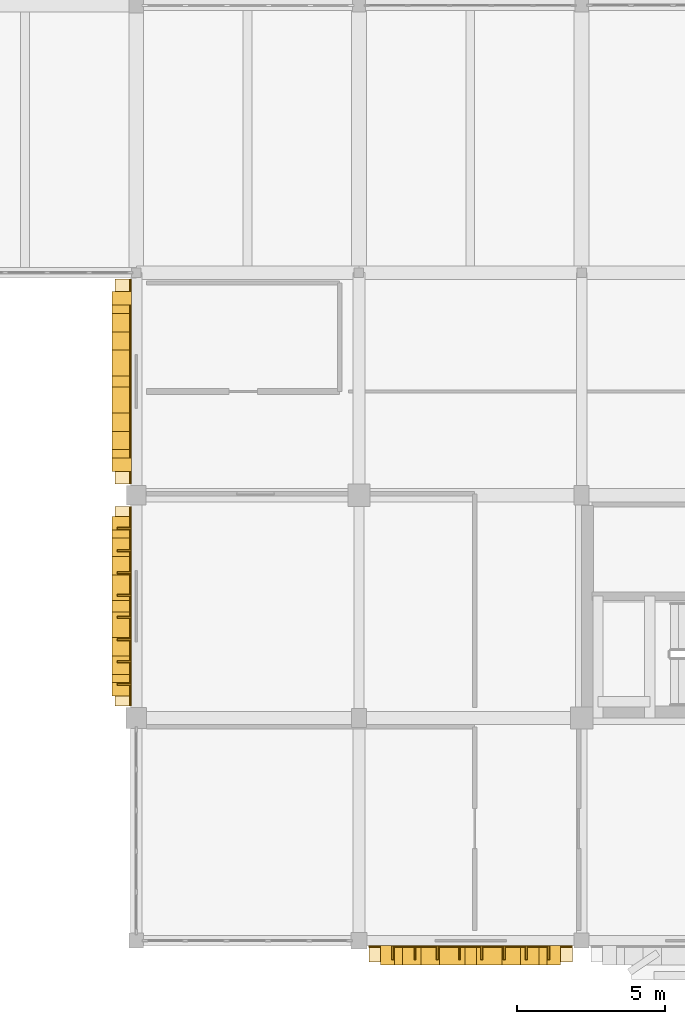
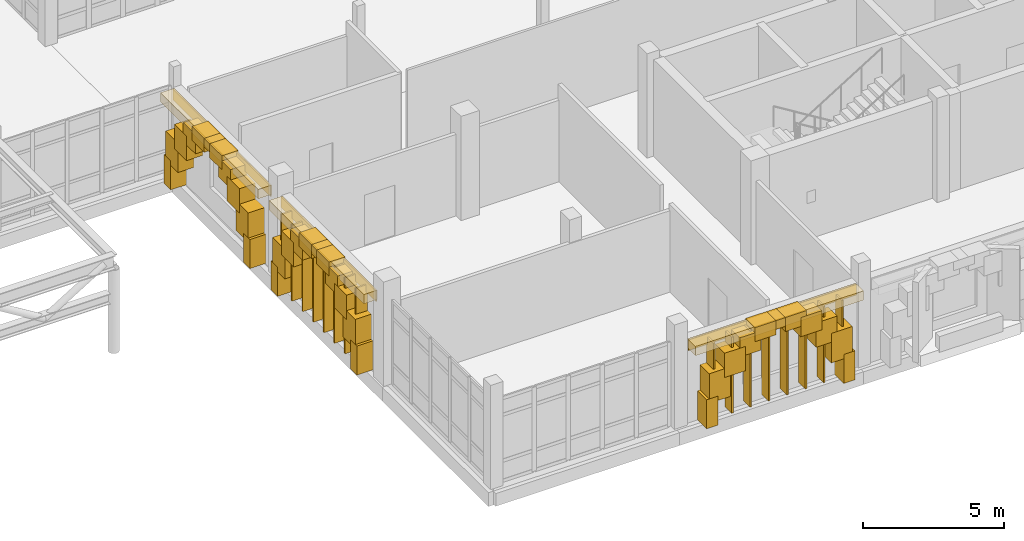
# One storey, part 113 of 128: 39 coverings, 16 shading devices.
"""IFC4 building model written with IfcOpenShell, lengths in metres."""

import ifcopenshell
import ifcopenshell.guid

model = None  # the IFC model being written
_history = None  # IfcOwnerHistory: only IFC2X3 demands one
_inside = {}  # id of a spatial element -> (the spatial element, [elements in it])
_under = {}  # id of a project, library or spatial element -> (it, [spatial elements below it])
_declared = {}  # id of a project -> (the project, [libraries it declares])
_typed = {}  # id of a type object -> (the type object, [elements of that type])
_made_of = {}  # id of a material, layer set ... -> (it, [elements and type objects made of it])


def new_model(schema):
    """Start an empty IFC model of exactly this schema.

    Asked for "IFC4X3", IfcOpenShell would pick the latest addendum, in which some entities
    have other attributes; the version numbers below select the first issue.
    IFC2X3 requires an IfcOwnerHistory on every rooted entity: one is made here for all.
    """
    global model, _history
    if schema == "IFC4X3":
        model = ifcopenshell.file(schema_version=(4, 3, 0, 0))
    else:
        model = ifcopenshell.file(schema=schema)
    _inside.clear()
    _under.clear()
    _declared.clear()
    _typed.clear()
    _made_of.clear()
    _history = None
    if model.schema == "IFC2X3":
        org = make("IfcOrganization", Name="unknown")
        user = make(
            "IfcPersonAndOrganization",
            ThePerson=make("IfcPerson", FamilyName="unknown"),
            TheOrganization=org,
        )
        app = make(
            "IfcApplication",
            ApplicationDeveloper=org,
            Version="unknown",
            ApplicationFullName="unknown",
            ApplicationIdentifier="unknown",
        )
        _history = make(
            "IfcOwnerHistory",
            OwningUser=user,
            OwningApplication=app,
            ChangeAction="ADDED",
            CreationDate=0,
        )
    return model


def make(cls, **values):
    """One entity of the class cls with the attributes given. An attribute that is None is left unset."""
    return model.create_entity(
        cls, **{name: value for name, value in values.items() if value is not None}
    )


def rooted(cls, **values):
    """An entity with a GlobalId (a new one), such as an element, a storey or a relation."""
    return make(cls, GlobalId=ifcopenshell.guid.new(), OwnerHistory=_history, **values)


def si_unit(unit_type, name, prefix=None):
    """IfcSIUnit, for example si_unit("LENGTHUNIT", "METRE", prefix="MILLI")."""
    return make("IfcSIUnit", UnitType=unit_type, Prefix=prefix, Name=name)


def assignment(units):
    """IfcUnitAssignment: the units of a project."""
    return None if units is None else make("IfcUnitAssignment", Units=units)


def point(xyz):
    """IfcCartesianPoint."""
    return None if xyz is None else make("IfcCartesianPoint", Coordinates=xyz)


def direction(xyz):
    """IfcDirection."""
    return None if xyz is None else make("IfcDirection", DirectionRatios=xyz)


def frame(location, z_axis=None, x_axis=None):
    """IfcAxis2Placement3D, a coordinate frame: its origin and axes. An axis left out is left unset."""
    return make(
        "IfcAxis2Placement3D",
        Location=point(location),
        Axis=direction(z_axis),
        RefDirection=direction(x_axis),
    )


def frame_2d(location, x_axis=None):
    """IfcAxis2Placement2D, a coordinate frame in the plane: its origin and x axis."""
    return make(
        "IfcAxis2Placement2D", Location=point(location), RefDirection=direction(x_axis)
    )


def origin():
    """The frame at (0, 0, 0) with its axes left unset."""
    return frame((0.0, 0.0, 0.0))


def origin_2d():
    """The frame at (0, 0) in the plane with its x axis left unset."""
    return frame_2d((0.0, 0.0))


def place(relative_to, where):
    """IfcLocalPlacement: puts the frame where relative to a parent placement (None: the world)."""
    return make(
        "IfcLocalPlacement", PlacementRelTo=relative_to, RelativePlacement=where
    )


def context(
    kind, dimensions, precision=None, world=None, true_north=None, identifier=None
):
    """IfcGeometricRepresentationContext, for example the 3D "Model" context."""
    return make(
        "IfcGeometricRepresentationContext",
        ContextIdentifier=identifier,
        ContextType=kind,
        CoordinateSpaceDimension=dimensions,
        Precision=precision,
        WorldCoordinateSystem=world,
        TrueNorth=true_north,
    )


def subcontext(parent, identifier, kind, view, scale=None):
    """IfcGeometricRepresentationSubContext, for example "Body" below "Model"."""
    return make(
        "IfcGeometricRepresentationSubContext",
        ContextIdentifier=identifier,
        ContextType=kind,
        ParentContext=parent,
        TargetScale=scale,
        TargetView=view,
    )


def project(units=None, contexts=None):
    """IfcProject with its units and contexts."""
    return rooted(
        "IfcProject",
        Name="project",
        RepresentationContexts=contexts,
        UnitsInContext=assignment(units),
    )


def spatial(cls, under=None, at=None, **own):
    """A site, building, storey or space (cls), placed at a placement, below another one or the project."""
    s = rooted(cls, ObjectPlacement=at, **own)
    if under is not None:
        _under.setdefault(under.id(), (under, []))[1].append(s)
    return s


def profile(cls, at=None, kind="AREA", **sizes):
    """A parametric profile (cls). Its sizes go by their IFC names, for example OverallWidth=200.0."""
    return make(cls, ProfileType=kind, Position=at, **sizes)


def rectangle(**sizes):
    """IfcRectangleProfileDef."""
    return profile("IfcRectangleProfileDef", **sizes)


def extrude(swept, where, along, depth):
    """IfcExtrudedAreaSolid: the profile swept, set in the frame where, extruded along a direction by depth."""
    return make(
        "IfcExtrudedAreaSolid",
        SweptArea=swept,
        Position=where,
        ExtrudedDirection=direction(along),
        Depth=depth,
    )


def shape(context_of_items, identifier, shape_type, items):
    """IfcShapeRepresentation: the items that make up one representation, for example the "Body"."""
    return make(
        "IfcShapeRepresentation",
        ContextOfItems=context_of_items,
        RepresentationIdentifier=identifier,
        RepresentationType=shape_type,
        Items=items,
    )


def material(Name=None, Category=None):
    """IfcMaterial."""
    return make("IfcMaterial", Name=Name, Category=Category)


def layer(
    of_material, thickness, ventilated=None, Name=None, Category=None, Priority=None
):
    """IfcMaterialLayer: one layer of a wall or slab, of a material (None: an air gap)."""
    return make(
        "IfcMaterialLayer",
        Material=of_material,
        LayerThickness=thickness,
        IsVentilated=ventilated,
        Name=Name,
        Category=Category,
        Priority=Priority,
    )


def layer_set(layers, Name=None):
    """IfcMaterialLayerSet."""
    return make("IfcMaterialLayerSet", MaterialLayers=layers, LayerSetName=Name)


def made_of(thing, what):
    """Note that an element or type object is made of a material, layer set ...; save() writes the relation."""
    if what is not None:
        _made_of.setdefault(what.id(), (what, []))[1].append(thing)
    return thing


def type_object(cls, material=None, **own):
    """A type object (cls), such as IfcWallType, which elements share."""
    return made_of(rooted(cls, **own), material)


def element(
    cls,
    number,
    at=None,
    inside=None,
    cuts=None,
    type_object=None,
    material=None,
    context=None,
    identifier="Body",
    shape_type=None,
    held_by="IfcProductDefinitionShape",
    body=None,
    shapes=None,
    **own,
):
    """One element of the class cls, such as IfcWall. Its Tag is "e" and its number.

    at: its placement. inside: the storey or other place that contains it. cuts: it is an
    opening in that element (IfcRelVoidsElement). A single representation is given by context,
    identifier, shape_type and body (its items); several are given by shapes. held_by: the class
    of the entity that holds the representations. save() writes the other relations.
    """
    e = rooted(cls, Tag="e%d" % number, ObjectPlacement=at, **own)
    if body is not None:
        shapes = [shape(context, identifier, shape_type, body)]
    if shapes is not None:
        e.Representation = make(held_by, Representations=shapes)
    if inside is not None:
        _inside.setdefault(inside.id(), (inside, []))[1].append(e)
    if cuts is not None:
        rooted(
            "IfcRelVoidsElement", RelatingBuildingElement=cuts, RelatedOpeningElement=e
        )
    if type_object is not None:
        _typed.setdefault(type_object.id(), (type_object, []))[1].append(e)
    return made_of(e, material)


def aggregate(whole, parts):
    """IfcRelAggregates: a whole, such as a stair, and the parts it consists of."""
    return rooted("IfcRelAggregates", RelatingObject=whole, RelatedObjects=parts)


def save(model, path):
    """Write the relations noted so far, then the file.

    IfcRelAggregates (storeys below a building ...), IfcRelContainedInSpatialStructure (elements
    in a storey), IfcRelDefinesByType, IfcRelAssociatesMaterial and IfcRelDeclares: one each for
    every whole, place, type object, material and project.
    """
    for whole, parts in _under.values():
        aggregate(whole, parts)
    for where, things in _inside.values():
        rooted(
            "IfcRelContainedInSpatialStructure",
            RelatedElements=things,
            RelatingStructure=where,
        )
    for kind, things in _typed.values():
        rooted("IfcRelDefinesByType", RelatedObjects=things, RelatingType=kind)
    for what, things in _made_of.values():
        rooted("IfcRelAssociatesMaterial", RelatedObjects=things, RelatingMaterial=what)
    for by, libraries in _declared.values():
        rooted("IfcRelDeclares", RelatingContext=by, RelatedDefinitions=libraries)
    model.write(path)


model = new_model("IFC4")

# Units and contexts
model_context = context("Model", 3, precision=1e-05, world=origin(), true_north=direction((0.0, 1.0)))
body_context = subcontext(model_context, "Body", "Model", "MODEL_VIEW")
ifc_project = project(units=[si_unit("LENGTHUNIT", "METRE"), si_unit("AREAUNIT", "SQUARE_METRE"), si_unit("VOLUMEUNIT", "CUBIC_METRE"), si_unit("PLANEANGLEUNIT", "RADIAN"), si_unit("MASSUNIT", "GRAM", prefix="KILO")], contexts=[model_context])

# Site, building, storey
site_placement = place(None, origin())
site = spatial("IfcSite", under=ifc_project, at=site_placement, CompositionType="ELEMENT")
building_placement = place(site_placement, origin())
building = spatial("IfcBuilding", under=site, at=building_placement, Name="Dalvernix Boulevard General Hospital", CompositionType="ELEMENT")
storey_placement = place(building_placement, frame((0.0, 0.0, 4.800048828125)))
storey = spatial("IfcBuildingStorey", under=building, at=storey_placement, Name="L01", CompositionType="ELEMENT", Elevation=4.800048828125)

# Coverings
ifc_material_1 = material(Name="Pressed Catalan clay brick and dressed limestone parabolic archivolt", Category="masonry")
ifc_layer_1 = layer(ifc_material_1, 0.419921875)
ifc_layer_set_1 = layer_set([ifc_layer_1], Name="Pressed Catalan clay brick and dressed limestone parabolic archivolt (COV-ARC-01)")
covering_type_1 = type_object("IfcCoveringType", Name="COV-ARC-01", PredefinedType="CLADDING", material=ifc_layer_set_1)
for number, where, z_axis, x_axis, name in (
    (1, (112.014892578125, 8.46240234375, 0.0), (0.0, 0.0, 1.0), (0.0, 1.0, 0.0), "L01 Catalan parabolic arch impost pier W 15-1-L"),
    (2, (112.014892578125, 14.0625, 0.0), (0.0, 0.0, 1.0), (0.0, 1.0, 0.0), "L01 Catalan parabolic arch impost pier W 15-1-R"),
):
    element("IfcCovering", number, at=place(storey_placement, frame(where, z_axis=z_axis, x_axis=x_axis)), inside=storey, type_object=covering_type_1, Name=name, PredefinedType="CLADDING", context=body_context, shape_type="SweptSolid", body=[
        extrude(rectangle(XDim=0.4599609375, YDim=0.659912109375, at=origin_2d()), origin(), (0.0, 0.0, 1.0), 1.25),
    ])
covering_1_placement = place(storey_placement, frame((112.014892578125, 8.773681640625, 1.06005859375), z_axis=(0.0, 0.0, 1.0), x_axis=(0.0, 1.0, 0.0)))
element("IfcCovering", 3, at=covering_1_placement, inside=storey, type_object=covering_type_1, Name="L01 Catalan parabolic archivolt voussoir W 15-1-1", PredefinedType="CLADDING", context=body_context, shape_type="SweptSolid", body=[
    extrude(rectangle(XDim=0.8623046875, YDim=0.659912109375, at=origin_2d()), origin(), (0.0, 0.0, 1.0), 1.272705078125),
])
covering_2_placement = place(storey_placement, frame((112.014892578125, 9.395751953125, 1.95263671875), z_axis=(0.0, 0.0, 1.0), x_axis=(0.0, 1.0, 0.0)))
element("IfcCovering", 4, at=covering_2_placement, inside=storey, type_object=covering_type_1, Name="L01 Catalan parabolic archivolt voussoir W 15-1-2", PredefinedType="CLADDING", context=body_context, shape_type="SweptSolid", body=[
    extrude(rectangle(XDim=0.8623046875, YDim=0.659912109375, at=origin_2d()), origin(), (0.0, 0.0, 1.0), 1.049560546875),
])
covering_3_placement = place(storey_placement, frame((112.014892578125, 10.01806640625, 2.62255859375), z_axis=(0.0, 0.0, 1.0), x_axis=(0.0, 1.0, 0.0)))
element("IfcCovering", 5, at=covering_3_placement, inside=storey, type_object=covering_type_1, Name="L01 Catalan parabolic archivolt voussoir W 15-1-3", PredefinedType="CLADDING", context=body_context, shape_type="SweptSolid", body=[
    extrude(rectangle(XDim=0.8623046875, YDim=0.659912109375, at=origin_2d()), origin(), (0.0, 0.0, 1.0), 0.826416015625),
])
covering_4_placement = place(storey_placement, frame((112.014892578125, 10.640380859375, 3.06884765625), z_axis=(0.0, 0.0, 1.0), x_axis=(0.0, 1.0, 0.0)))
element("IfcCovering", 6, at=covering_4_placement, inside=storey, type_object=covering_type_1, Name="L01 Catalan parabolic archivolt voussoir W 15-1-4", PredefinedType="CLADDING", context=body_context, shape_type="SweptSolid", body=[
    extrude(rectangle(XDim=0.8623046875, YDim=0.659912109375, at=origin_2d()), origin(), (0.0, 0.0, 1.0), 0.603271484375),
])
covering_5_placement = place(storey_placement, frame((112.014892578125, 11.262451171875, 3.2919921875), z_axis=(0.0, 0.0, 1.0), x_axis=(0.0, 1.0, 0.0)))
element("IfcCovering", 7, at=covering_5_placement, inside=storey, type_object=covering_type_1, Name="L01 Catalan parabolic archivolt voussoir W 15-1-5", PredefinedType="CLADDING", context=body_context, shape_type="SweptSolid", body=[
    extrude(rectangle(XDim=0.8623046875, YDim=0.659912109375, at=origin_2d()), origin(), (0.0, 0.0, 1.0), 0.3798828125),
])
covering_6_placement = place(storey_placement, frame((112.014892578125, 11.884765625, 3.06884765625), z_axis=(0.0, 0.0, 1.0), x_axis=(0.0, 1.0, 0.0)))
element("IfcCovering", 8, at=covering_6_placement, inside=storey, type_object=covering_type_1, Name="L01 Catalan parabolic archivolt voussoir W 15-1-6", PredefinedType="CLADDING", context=body_context, shape_type="SweptSolid", body=[
    extrude(rectangle(XDim=0.8623046875, YDim=0.659912109375, at=origin_2d()), origin(), (0.0, 0.0, 1.0), 0.603271484375),
])
covering_7_placement = place(storey_placement, frame((112.014892578125, 12.5068359375, 2.62255859375), z_axis=(0.0, 0.0, 1.0), x_axis=(0.0, 1.0, 0.0)))
element("IfcCovering", 9, at=covering_7_placement, inside=storey, type_object=covering_type_1, Name="L01 Catalan parabolic archivolt voussoir W 15-1-7", PredefinedType="CLADDING", context=body_context, shape_type="SweptSolid", body=[
    extrude(rectangle(XDim=0.8623046875, YDim=0.659912109375, at=origin_2d()), origin(), (0.0, 0.0, 1.0), 0.826416015625),
])
covering_8_placement = place(storey_placement, frame((112.014892578125, 13.129150390625, 1.95263671875), z_axis=(0.0, 0.0, 1.0), x_axis=(0.0, 1.0, 0.0)))
element("IfcCovering", 10, at=covering_8_placement, inside=storey, type_object=covering_type_1, Name="L01 Catalan parabolic archivolt voussoir W 15-1-8", PredefinedType="CLADDING", context=body_context, shape_type="SweptSolid", body=[
    extrude(rectangle(XDim=0.8623046875, YDim=0.659912109375, at=origin_2d()), origin(), (0.0, 0.0, 1.0), 1.049560546875),
])
covering_9_placement = place(storey_placement, frame((112.014892578125, 13.75146484375, 1.06005859375), z_axis=(0.0, 0.0, 1.0), x_axis=(0.0, 1.0, 0.0)))
element("IfcCovering", 11, at=covering_9_placement, inside=storey, type_object=covering_type_1, Name="L01 Catalan parabolic archivolt voussoir W 15-1-9", PredefinedType="CLADDING", context=body_context, shape_type="SweptSolid", body=[
    extrude(rectangle(XDim=0.8623046875, YDim=0.659912109375, at=origin_2d()), origin(), (0.0, 0.0, 1.0), 1.272705078125),
])
for number, where, z_axis, x_axis, name in (
    (12, (112.014892578125, 16.032470703125, 0.0), (0.0, 0.0, 1.0), (0.0, 1.0, 0.0), "L01 Catalan parabolic arch impost pier W 15-2-L"),
    (13, (112.014892578125, 21.632568359375, 0.0), (0.0, 0.0, 1.0), (0.0, 1.0, 0.0), "L01 Catalan parabolic arch impost pier W 15-2-R"),
):
    element("IfcCovering", number, at=place(storey_placement, frame(where, z_axis=z_axis, x_axis=x_axis)), inside=storey, type_object=covering_type_1, Name=name, PredefinedType="CLADDING", context=body_context, shape_type="SweptSolid", body=[
        extrude(rectangle(XDim=0.4599609375, YDim=0.659912109375, at=origin_2d()), origin(), (0.0, 0.0, 1.0), 1.25),
    ])
covering_10_placement = place(storey_placement, frame((112.014892578125, 16.343505859375, 1.06005859375), z_axis=(0.0, 0.0, 1.0), x_axis=(0.0, 1.0, 0.0)))
element("IfcCovering", 14, at=covering_10_placement, inside=storey, type_object=covering_type_1, Name="L01 Catalan parabolic archivolt voussoir W 15-2-1", PredefinedType="CLADDING", context=body_context, shape_type="SweptSolid", body=[
    extrude(rectangle(XDim=0.8623046875, YDim=0.659912109375, at=origin_2d()), origin(), (0.0, 0.0, 1.0), 1.272705078125),
])
covering_11_placement = place(storey_placement, frame((112.014892578125, 16.9658203125, 1.95263671875), z_axis=(0.0, 0.0, 1.0), x_axis=(0.0, 1.0, 0.0)))
element("IfcCovering", 15, at=covering_11_placement, inside=storey, type_object=covering_type_1, Name="L01 Catalan parabolic archivolt voussoir W 15-2-2", PredefinedType="CLADDING", context=body_context, shape_type="SweptSolid", body=[
    extrude(rectangle(XDim=0.8623046875, YDim=0.659912109375, at=origin_2d()), origin(), (0.0, 0.0, 1.0), 1.049560546875),
])
covering_12_placement = place(storey_placement, frame((112.014892578125, 17.588134765625, 2.62255859375), z_axis=(0.0, 0.0, 1.0), x_axis=(0.0, 1.0, 0.0)))
element("IfcCovering", 16, at=covering_12_placement, inside=storey, type_object=covering_type_1, Name="L01 Catalan parabolic archivolt voussoir W 15-2-3", PredefinedType="CLADDING", context=body_context, shape_type="SweptSolid", body=[
    extrude(rectangle(XDim=0.8623046875, YDim=0.659912109375, at=origin_2d()), origin(), (0.0, 0.0, 1.0), 0.826416015625),
])
covering_13_placement = place(storey_placement, frame((112.014892578125, 18.210205078125, 3.06884765625), z_axis=(0.0, 0.0, 1.0), x_axis=(0.0, 1.0, 0.0)))
element("IfcCovering", 17, at=covering_13_placement, inside=storey, type_object=covering_type_1, Name="L01 Catalan parabolic archivolt voussoir W 15-2-4", PredefinedType="CLADDING", context=body_context, shape_type="SweptSolid", body=[
    extrude(rectangle(XDim=0.8623046875, YDim=0.659912109375, at=origin_2d()), origin(), (0.0, 0.0, 1.0), 0.603271484375),
])
covering_14_placement = place(storey_placement, frame((112.014892578125, 18.83251953125, 3.2919921875), z_axis=(0.0, 0.0, 1.0), x_axis=(0.0, 1.0, 0.0)))
element("IfcCovering", 18, at=covering_14_placement, inside=storey, type_object=covering_type_1, Name="L01 Catalan parabolic archivolt voussoir W 15-2-5", PredefinedType="CLADDING", context=body_context, shape_type="SweptSolid", body=[
    extrude(rectangle(XDim=0.8623046875, YDim=0.659912109375, at=origin_2d()), origin(), (0.0, 0.0, 1.0), 0.3798828125),
])
covering_15_placement = place(storey_placement, frame((112.014892578125, 19.45458984375, 3.06884765625), z_axis=(0.0, 0.0, 1.0), x_axis=(0.0, 1.0, 0.0)))
element("IfcCovering", 19, at=covering_15_placement, inside=storey, type_object=covering_type_1, Name="L01 Catalan parabolic archivolt voussoir W 15-2-6", PredefinedType="CLADDING", context=body_context, shape_type="SweptSolid", body=[
    extrude(rectangle(XDim=0.8623046875, YDim=0.659912109375, at=origin_2d()), origin(), (0.0, 0.0, 1.0), 0.603271484375),
])
covering_16_placement = place(storey_placement, frame((112.014892578125, 20.076904296875, 2.62255859375), z_axis=(0.0, 0.0, 1.0), x_axis=(0.0, 1.0, 0.0)))
element("IfcCovering", 20, at=covering_16_placement, inside=storey, type_object=covering_type_1, Name="L01 Catalan parabolic archivolt voussoir W 15-2-7", PredefinedType="CLADDING", context=body_context, shape_type="SweptSolid", body=[
    extrude(rectangle(XDim=0.8623046875, YDim=0.659912109375, at=origin_2d()), origin(), (0.0, 0.0, 1.0), 0.826416015625),
])
covering_17_placement = place(storey_placement, frame((112.014892578125, 20.69921875, 1.95263671875), z_axis=(0.0, 0.0, 1.0), x_axis=(0.0, 1.0, 0.0)))
element("IfcCovering", 21, at=covering_17_placement, inside=storey, type_object=covering_type_1, Name="L01 Catalan parabolic archivolt voussoir W 15-2-8", PredefinedType="CLADDING", context=body_context, shape_type="SweptSolid", body=[
    extrude(rectangle(XDim=0.8623046875, YDim=0.659912109375, at=origin_2d()), origin(), (0.0, 0.0, 1.0), 1.049560546875),
])
covering_18_placement = place(storey_placement, frame((112.014892578125, 21.3212890625, 1.06005859375), z_axis=(0.0, 0.0, 1.0), x_axis=(0.0, 1.0, 0.0)))
element("IfcCovering", 22, at=covering_18_placement, inside=storey, type_object=covering_type_1, Name="L01 Catalan parabolic archivolt voussoir W 15-2-9", PredefinedType="CLADDING", context=body_context, shape_type="SweptSolid", body=[
    extrude(rectangle(XDim=0.8623046875, YDim=0.659912109375, at=origin_2d()), origin(), (0.0, 0.0, 1.0), 1.272705078125),
])
for number, where, z_axis, x_axis, name in (
    (23, (126.5625, -0.485107421875, 0.0), (0.0, 0.0, 1.0), (-1.0, 0.0, 0.0), "L01 Catalan parabolic arch impost pier S 16-0-L"),
    (24, (120.96240234375, -0.485107421875, 0.0), (0.0, 0.0, 1.0), (-1.0, 0.0, 0.0), "L01 Catalan parabolic arch impost pier S 16-0-R"),
):
    element("IfcCovering", number, at=place(storey_placement, frame(where, z_axis=z_axis, x_axis=x_axis)), inside=storey, type_object=covering_type_1, Name=name, PredefinedType="CLADDING", context=body_context, shape_type="SweptSolid", body=[
        extrude(rectangle(XDim=0.4599609375, YDim=0.659912109375, at=origin_2d()), origin(), (0.0, 0.0, 1.0), 1.25),
    ])
covering_19_placement = place(storey_placement, frame((126.25146484375, -0.485107421875, 1.06005859375), z_axis=(0.0, 0.0, 1.0), x_axis=(-1.0, 0.0, 0.0)))
element("IfcCovering", 25, at=covering_19_placement, inside=storey, type_object=covering_type_1, Name="L01 Catalan parabolic archivolt voussoir S 16-0-1", PredefinedType="CLADDING", context=body_context, shape_type="SweptSolid", body=[
    extrude(rectangle(XDim=0.8623046875, YDim=0.659912109375, at=origin_2d()), origin(), (0.0, 0.0, 1.0), 1.272705078125),
])
covering_20_placement = place(storey_placement, frame((125.629150390625, -0.485107421875, 1.95263671875), z_axis=(0.0, 0.0, 1.0), x_axis=(-1.0, 0.0, 0.0)))
element("IfcCovering", 26, at=covering_20_placement, inside=storey, type_object=covering_type_1, Name="L01 Catalan parabolic archivolt voussoir S 16-0-2", PredefinedType="CLADDING", context=body_context, shape_type="SweptSolid", body=[
    extrude(rectangle(XDim=0.8623046875, YDim=0.659912109375, at=origin_2d()), origin(), (0.0, 0.0, 1.0), 1.049560546875),
])
covering_21_placement = place(storey_placement, frame((125.0068359375, -0.485107421875, 2.62255859375), z_axis=(0.0, 0.0, 1.0), x_axis=(-1.0, 0.0, 0.0)))
element("IfcCovering", 27, at=covering_21_placement, inside=storey, type_object=covering_type_1, Name="L01 Catalan parabolic archivolt voussoir S 16-0-3", PredefinedType="CLADDING", context=body_context, shape_type="SweptSolid", body=[
    extrude(rectangle(XDim=0.8623046875, YDim=0.659912109375, at=origin_2d()), origin(), (0.0, 0.0, 1.0), 0.826416015625),
])
covering_22_placement = place(storey_placement, frame((124.384765625, -0.485107421875, 3.06884765625), z_axis=(0.0, 0.0, 1.0), x_axis=(-1.0, 0.0, 0.0)))
element("IfcCovering", 28, at=covering_22_placement, inside=storey, type_object=covering_type_1, Name="L01 Catalan parabolic archivolt voussoir S 16-0-4", PredefinedType="CLADDING", context=body_context, shape_type="SweptSolid", body=[
    extrude(rectangle(XDim=0.8623046875, YDim=0.659912109375, at=origin_2d()), origin(), (0.0, 0.0, 1.0), 0.603271484375),
])
covering_23_placement = place(storey_placement, frame((123.762451171875, -0.485107421875, 3.2919921875), z_axis=(0.0, 0.0, 1.0), x_axis=(-1.0, 0.0, 0.0)))
element("IfcCovering", 29, at=covering_23_placement, inside=storey, type_object=covering_type_1, Name="L01 Catalan parabolic archivolt voussoir S 16-0-5", PredefinedType="CLADDING", context=body_context, shape_type="SweptSolid", body=[
    extrude(rectangle(XDim=0.8623046875, YDim=0.659912109375, at=origin_2d()), origin(), (0.0, 0.0, 1.0), 0.3798828125),
])
covering_24_placement = place(storey_placement, frame((123.140380859375, -0.485107421875, 3.06884765625), z_axis=(0.0, 0.0, 1.0), x_axis=(-1.0, 0.0, 0.0)))
element("IfcCovering", 30, at=covering_24_placement, inside=storey, type_object=covering_type_1, Name="L01 Catalan parabolic archivolt voussoir S 16-0-6", PredefinedType="CLADDING", context=body_context, shape_type="SweptSolid", body=[
    extrude(rectangle(XDim=0.8623046875, YDim=0.659912109375, at=origin_2d()), origin(), (0.0, 0.0, 1.0), 0.603271484375),
])
covering_25_placement = place(storey_placement, frame((122.51806640625, -0.485107421875, 2.62255859375), z_axis=(0.0, 0.0, 1.0), x_axis=(-1.0, 0.0, 0.0)))
element("IfcCovering", 31, at=covering_25_placement, inside=storey, type_object=covering_type_1, Name="L01 Catalan parabolic archivolt voussoir S 16-0-7", PredefinedType="CLADDING", context=body_context, shape_type="SweptSolid", body=[
    extrude(rectangle(XDim=0.8623046875, YDim=0.659912109375, at=origin_2d()), origin(), (0.0, 0.0, 1.0), 0.826416015625),
])
covering_26_placement = place(storey_placement, frame((121.895751953125, -0.485107421875, 1.95263671875), z_axis=(0.0, 0.0, 1.0), x_axis=(-1.0, 0.0, 0.0)))
element("IfcCovering", 32, at=covering_26_placement, inside=storey, type_object=covering_type_1, Name="L01 Catalan parabolic archivolt voussoir S 16-0-8", PredefinedType="CLADDING", context=body_context, shape_type="SweptSolid", body=[
    extrude(rectangle(XDim=0.8623046875, YDim=0.659912109375, at=origin_2d()), origin(), (0.0, 0.0, 1.0), 1.049560546875),
])
covering_27_placement = place(storey_placement, frame((121.273681640625, -0.485107421875, 1.06005859375), z_axis=(0.0, 0.0, 1.0), x_axis=(-1.0, 0.0, 0.0)))
element("IfcCovering", 33, at=covering_27_placement, inside=storey, type_object=covering_type_1, Name="L01 Catalan parabolic archivolt voussoir S 16-0-9", PredefinedType="CLADDING", context=body_context, shape_type="SweptSolid", body=[
    extrude(rectangle(XDim=0.8623046875, YDim=0.659912109375, at=origin_2d()), origin(), (0.0, 0.0, 1.0), 1.272705078125),
])
ifc_material_2 = material(Name="Polychrome Catalan glazed ceramic spandrel tile panel")
ifc_layer_2 = layer(ifc_material_2, 0.044921875)
ifc_layer_set_2 = layer_set([ifc_layer_2], Name="Polychrome Catalan glazed ceramic spandrel tile panel (COV-CLD-01)")
covering_type_2 = type_object("IfcCoveringType", Name="COV-CLD-01", PredefinedType="CLADDING", material=ifc_layer_set_2)
covering_28_placement = place(storey_placement, frame((112.304931640625, 11.262451171875, 3.15478515625), z_axis=(0.0, 0.0, 1.0), x_axis=(0.0, 1.0, 0.0)))
element("IfcCovering", 34, at=covering_28_placement, inside=storey, type_object=covering_type_2, Name="L01 polychrome ceramic spandrel W 15-1", PredefinedType="CLADDING", context=body_context, shape_type="SweptSolid", body=[
    extrude(rectangle(XDim=6.705078125, YDim=0.044921875, at=origin_2d()), origin(), (0.0, 0.0, 1.0), 0.449951171875),
])
covering_29_placement = place(storey_placement, frame((112.304931640625, 18.83251953125, 3.15478515625), z_axis=(0.0, 0.0, 1.0), x_axis=(0.0, 1.0, 0.0)))
element("IfcCovering", 35, at=covering_29_placement, inside=storey, type_object=covering_type_2, Name="L01 polychrome ceramic spandrel W 15-2", PredefinedType="CLADDING", context=body_context, shape_type="SweptSolid", body=[
    extrude(rectangle(XDim=6.89501953125, YDim=0.044921875, at=origin_2d()), origin(), (0.0, 0.0, 1.0), 0.449951171875),
])
covering_30_placement = place(storey_placement, frame((123.762451171875, -0.195068359375, 3.15478515625), z_axis=(0.0, 0.0, 1.0), x_axis=(-1.0, 0.0, 0.0)))
element("IfcCovering", 36, at=covering_30_placement, inside=storey, type_object=covering_type_2, Name="L01 polychrome ceramic spandrel S 16-0", PredefinedType="CLADDING", context=body_context, shape_type="SweptSolid", body=[
    extrude(rectangle(XDim=6.85498046875, YDim=0.044921875, at=origin_2d()), origin(), (0.0, 0.0, 1.0), 0.449951171875),
])
ifc_material_3 = material(Name="Dressed ochre limestone classical plinth, stringcourse and corbelled cornice", Category="masonry")
ifc_layer_3 = layer(ifc_material_3, 0.449951171875)
ifc_layer_set_3 = layer_set([ifc_layer_3], Name="Dressed ochre limestone classical plinth, stringcourse and corbelled cornice (COV-CRN-01)")
covering_type_3 = type_object("IfcCoveringType", Name="COV-CRN-01", PredefinedType="CLADDING", material=ifc_layer_set_3)
covering_31_placement = place(storey_placement, frame((112.06494140625, 11.262451171875, 3.22998046875), z_axis=(0.0, 0.0, 1.0), x_axis=(0.0, 1.0, 0.0)))
element("IfcCovering", 37, at=covering_31_placement, inside=storey, type_object=covering_type_3, Name="L01 classical corbelled cornice frieze W 15-1", PredefinedType="CLADDING", context=body_context, shape_type="SweptSolid", body=[
    extrude(rectangle(XDim=6.705078125, YDim=0.56005859375, at=origin_2d()), origin(), (0.0, 0.0, 1.0), 0.39990234375),
])
covering_32_placement = place(storey_placement, frame((112.06494140625, 18.83251953125, 3.22998046875), z_axis=(0.0, 0.0, 1.0), x_axis=(0.0, 1.0, 0.0)))
element("IfcCovering", 38, at=covering_32_placement, inside=storey, type_object=covering_type_3, Name="L01 classical corbelled cornice frieze W 15-2", PredefinedType="CLADDING", context=body_context, shape_type="SweptSolid", body=[
    extrude(rectangle(XDim=6.89501953125, YDim=0.56005859375, at=origin_2d()), origin(), (0.0, 0.0, 1.0), 0.39990234375),
])
covering_33_placement = place(storey_placement, frame((123.762451171875, -0.43505859375, 3.22998046875), z_axis=(0.0, 0.0, 1.0), x_axis=(-1.0, 0.0, 0.0)))
element("IfcCovering", 39, at=covering_33_placement, inside=storey, type_object=covering_type_3, Name="L01 classical corbelled cornice frieze S 16-0", PredefinedType="CLADDING", context=body_context, shape_type="SweptSolid", body=[
    extrude(rectangle(XDim=6.85498046875, YDim=0.56005859375, at=origin_2d()), origin(), (0.0, 0.0, 1.0), 0.39990234375),
])

# Shading devices
ifc_material_4 = material(Name="Preservative-treated West African iroko timber", Category="wood")
shading_device_type = type_object("IfcShadingDeviceType", Name="SHD-FIN-01", PredefinedType="USERDEFINED", material=ifc_material_4)
for number, where, z_axis, x_axis, name in (
    (40, (112.094970703125, 8.637451171875, 0.1748046875), (0.0, 0.0, 1.0), (0.0, 1.0, 0.0), "L01 iroko brise-soleil fin 1"),
    (41, (112.094970703125, 9.387451171875, 0.1748046875), (0.0, 0.0, 1.0), (0.0, 1.0, 0.0), "L01 iroko brise-soleil fin 2"),
    (42, (112.094970703125, 10.137451171875, 0.1748046875), (0.0, 0.0, 1.0), (0.0, 1.0, 0.0), "L01 iroko brise-soleil fin 3"),
    (43, (112.094970703125, 10.887451171875, 0.1748046875), (0.0, 0.0, 1.0), (0.0, 1.0, 0.0), "L01 iroko brise-soleil fin 4"),
    (44, (112.094970703125, 11.637451171875, 0.1748046875), (0.0, 0.0, 1.0), (0.0, 1.0, 0.0), "L01 iroko brise-soleil fin 5"),
    (45, (112.094970703125, 12.387451171875, 0.1748046875), (0.0, 0.0, 1.0), (0.0, 1.0, 0.0), "L01 iroko brise-soleil fin 6"),
    (46, (112.094970703125, 13.137451171875, 0.1748046875), (0.0, 0.0, 1.0), (0.0, 1.0, 0.0), "L01 iroko brise-soleil fin 7"),
    (47, (112.094970703125, 13.887451171875, 0.1748046875), (0.0, 0.0, 1.0), (0.0, 1.0, 0.0), "L01 iroko brise-soleil fin 8"),
    (48, (126.387451171875, -0.405029296875, 0.1748046875), (0.0, 0.0, 1.0), (-1.0, 0.0, 0.0), "L01 iroko brise-soleil fin 1"),
    (49, (125.637451171875, -0.405029296875, 0.1748046875), (0.0, 0.0, 1.0), (-1.0, 0.0, 0.0), "L01 iroko brise-soleil fin 2"),
    (50, (124.887451171875, -0.405029296875, 0.1748046875), (0.0, 0.0, 1.0), (-1.0, 0.0, 0.0), "L01 iroko brise-soleil fin 3"),
    (51, (124.137451171875, -0.405029296875, 0.1748046875), (0.0, 0.0, 1.0), (-1.0, 0.0, 0.0), "L01 iroko brise-soleil fin 4"),
    (52, (123.387451171875, -0.405029296875, 0.1748046875), (0.0, 0.0, 1.0), (-1.0, 0.0, 0.0), "L01 iroko brise-soleil fin 5"),
    (53, (122.637451171875, -0.405029296875, 0.1748046875), (0.0, 0.0, 1.0), (-1.0, 0.0, 0.0), "L01 iroko brise-soleil fin 6"),
    (54, (121.887451171875, -0.405029296875, 0.1748046875), (0.0, 0.0, 1.0), (-1.0, 0.0, 0.0), "L01 iroko brise-soleil fin 7"),
    (55, (121.137451171875, -0.405029296875, 0.1748046875), (0.0, 0.0, 1.0), (-1.0, 0.0, 0.0), "L01 iroko brise-soleil fin 8"),
):
    element("IfcShadingDevice", number, at=place(storey_placement, frame(where, z_axis=z_axis, x_axis=x_axis)), inside=storey, type_object=shading_device_type, Name=name, ObjectType="FIN", PredefinedType="USERDEFINED", context=body_context, shape_type="SweptSolid", body=[
        extrude(rectangle(XDim=0.06494140625, YDim=0.47998046875, at=origin_2d()), origin(), (0.0, 0.0, 1.0), 3.280029296875),
    ])

save(model, "model.ifc")
